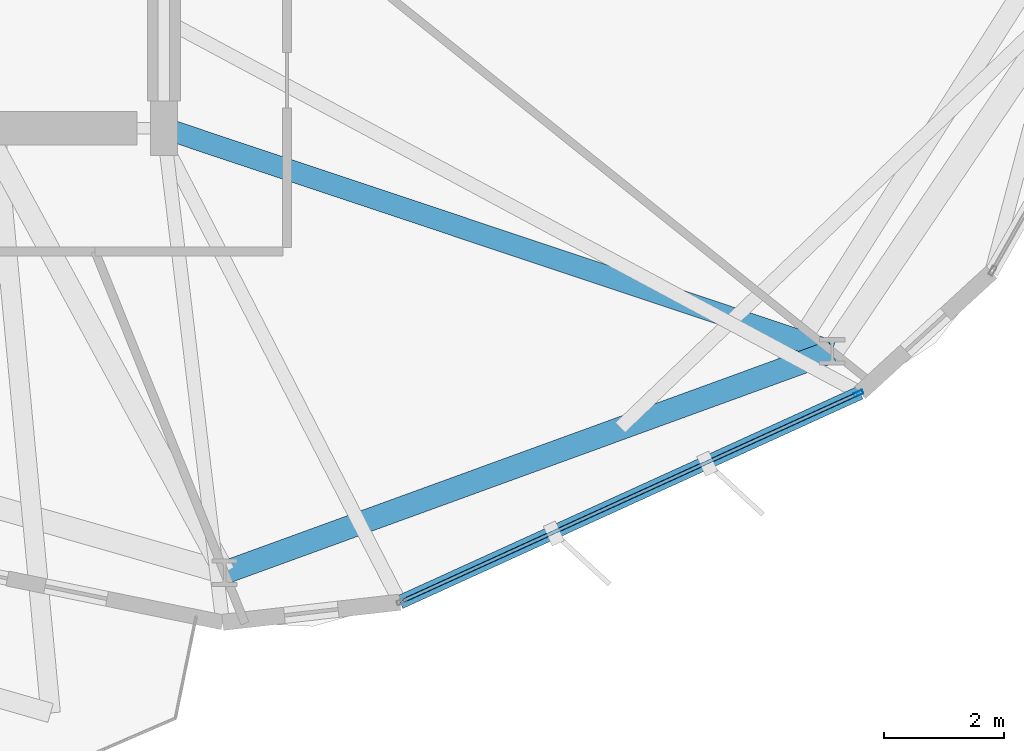
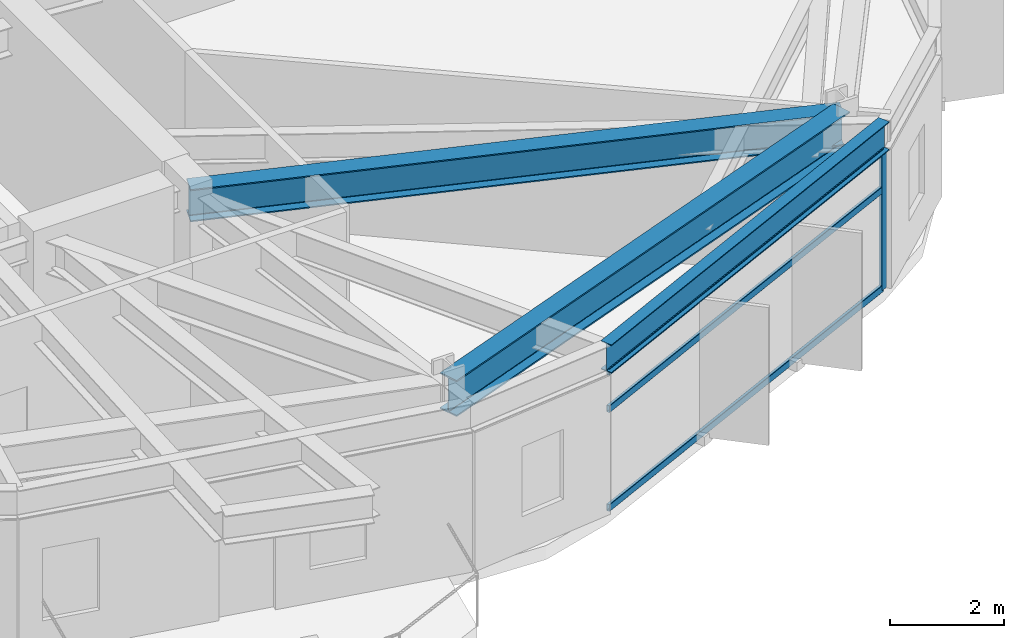
# One storey, part 6 of 23: 4 members, 3 beams, 1 element without a shape of its own.
"""IFC4 building model written with IfcOpenShell, lengths in metres."""

from ifc_helpers import new_model, si_unit, direction, frame, origin, origin_2d, place, context, subcontext, project, spatial, hollow_rectangle, i_section, extrude, material, layer, layer_set, material_profile, profile_set, type_object, element, aggregate, save


model = new_model("IFC4")

# Units and contexts
model_context = context("Model", 3, precision=1e-05, world=origin(), true_north=direction((0.0, 1.0)))
body_context = subcontext(model_context, "Body", "Model", "MODEL_VIEW")
ifc_project = project(units=[si_unit("LENGTHUNIT", "METRE"), si_unit("AREAUNIT", "SQUARE_METRE"), si_unit("VOLUMEUNIT", "CUBIC_METRE"), si_unit("PLANEANGLEUNIT", "RADIAN"), si_unit("MASSUNIT", "GRAM", prefix="KILO")], contexts=[model_context])

# Site, building, storey
site_placement = place(None, origin())
site = spatial("IfcSite", under=ifc_project, at=site_placement, CompositionType="ELEMENT")
building_placement = place(site_placement, origin())
building = spatial("IfcBuilding", under=site, at=building_placement, Name="Soratama Intermodal Tower", CompositionType="ELEMENT")
storey_placement = place(building_placement, frame((0.0, 0.0, 122.5)))
storey = spatial("IfcBuildingStorey", under=building, at=storey_placement, Name="L29", CompositionType="ELEMENT", Elevation=122.5)

# Beams
ifc_material_1 = material(Name="Structural steel ASTM A992 Grade 50", Category="steel")
ifc_material_profile_1 = material_profile(ifc_material_1, i_section(OverallWidth=0.35498046875, OverallDepth=0.695068359375, WebThickness=0.015380859375, FlangeThickness=0.02490234375, FilletRadius=0.01611328125, at=origin_2d()), Name="W27X146")
ifc_profile_set_1 = profile_set([ifc_material_profile_1], Name="Structural steel ASTM A992 Grade 50")
beam_type_1 = type_object("IfcBeamType", Name="BM-RING-W27X146", PredefinedType="BEAM", material=ifc_profile_set_1)
beam_1_placement = place(storey_placement, frame((44.60009765625, 15.0, 3.25244140625), z_axis=(0.948503923169, -0.316765382787, 0.0), x_axis=(0.316765382787, 0.948503923169, 0.0)))
element("IfcBeam", 1, at=beam_1_placement, inside=storey, type_object=beam_type_1, Name="BM-L29-RAD-09", PredefinedType="BEAM", context=body_context, shape_type="SweptSolid", body=[
    extrude(i_section(OverallWidth=0.35498046875, OverallDepth=0.695068359375, WebThickness=0.015380859375, FlangeThickness=0.02490234375, FilletRadius=0.01611328125, at=origin_2d()), origin(), (0.0, 0.0, 1.0), 11.715087890625),
])
ifc_material_2 = material(Name="Structural steel ASTM A992 Grade 50", Category="steel")
ifc_material_profile_2 = material_profile(ifc_material_2, i_section(OverallWidth=0.382080078125, OverallDepth=0.779052734375, WebThickness=0.01806640625, FlangeThickness=0.030029296875, FilletRadius=0.01806640625, at=origin_2d()), Name="W30X191")
ifc_profile_set_2 = profile_set([ifc_material_profile_2], Name="Structural steel ASTM A992 Grade 50")
beam_type_2 = type_object("IfcBeamType", Name="BM-RING-W30X191", PredefinedType="BEAM", material=ifc_profile_set_2)
beam_2_placement = place(storey_placement, frame((45.60693359375, 7.611083984375, 3.21044921875), z_axis=(0.939690636038, 0.342025596326, 0.0), x_axis=(-0.342025596326, 0.939690636038, 0.0)))
element("IfcBeam", 2, at=beam_2_placement, inside=storey, type_object=beam_type_2, Name="BM-L29-RING-08", PredefinedType="BEAM", context=body_context, shape_type="SweptSolid", body=[
    extrude(i_section(OverallWidth=0.382080078125, OverallDepth=0.779052734375, WebThickness=0.01806640625, FlangeThickness=0.030029296875, FilletRadius=0.01806640625, at=origin_2d()), origin(), (0.0, 0.0, 1.0), 10.75341796875),
])
ifc_material_3 = material(Name="Structural steel ASTM A992 Grade 50", Category="steel")
ifc_material_profile_3 = material_profile(ifc_material_3, i_section(OverallWidth=0.22900390625, OverallDepth=0.612060546875, WebThickness=0.011962890625, FlangeThickness=0.01953125, FilletRadius=0.012939453125, at=origin_2d()), Name="W24X84")
ifc_profile_set_3 = profile_set([ifc_material_profile_3], Name="Structural steel ASTM A992 Grade 50")
beam_type_3 = type_object("IfcBeamType", Name="BM-SPN-W24X84", PredefinedType="SPANDREL", material=ifc_profile_set_3)
beam_3_placement = place(storey_placement, frame((48.52392578125, 7.117919921875, 3.2939453125), z_axis=(0.910105693231, 0.414376190373, 0.0), x_axis=(-0.414376190373, 0.910105693231, 0.0)))
element("IfcBeam", 3, at=beam_3_placement, inside=storey, type_object=beam_type_3, Name="BS-L29-F08", PredefinedType="SPANDREL", context=body_context, shape_type="SweptSolid", body=[
    extrude(i_section(OverallWidth=0.22900390625, OverallDepth=0.612060546875, WebThickness=0.011962890625, FlangeThickness=0.01953125, FilletRadius=0.012939453125, at=origin_2d()), origin(), (0.0, 0.0, 1.0), 8.40576171875),
])

# Curtain wall, members
ifc_material_4 = material(Name="Double-glazed aluminium curtain wall", Category="aluminium")
ifc_layer = layer(ifc_material_4, 0.159912109375)
ifc_layer_set = layer_set([ifc_layer], Name="Double-glazed aluminium curtain wall")
curtain_wall_type = type_object("IfcCurtainWallType", Name="CW-SYS-3", PredefinedType="NOTDEFINED", material=ifc_layer_set)
curtain_wall_placement = place(storey_placement, origin())
curtain_wall = element("IfcCurtainWall", 4, at=curtain_wall_placement, inside=storey, type_object=curtain_wall_type, Name="L29 Faceted Curtain Wall F08", PredefinedType="NOTDEFINED")
ifc_material_5 = material(Name="Anodised aluminium AA 6063-T6", Category="aluminium")
ifc_material_profile_4 = material_profile(ifc_material_5, hollow_rectangle(XDim=0.070068359375, YDim=0.159912109375, WallThickness=0.0048828125, InnerFilletRadius=0.0048828125, OuterFilletRadius=0.010009765625, at=origin_2d()), Name="CWM160X70X5")
ifc_profile_set_4 = profile_set([ifc_material_profile_4], Name="Anodised aluminium AA 6063-T6")
member_type_1 = type_object("IfcMemberType", Name="MT-CWM-3", PredefinedType="MULLION", material=ifc_profile_set_4)
member_1_placement = place(storey_placement, frame((56.146240234375, 10.5888671875, 0.0), z_axis=(0.0, 0.0, 1.0), x_axis=(-0.414381018039, 0.910103495153, 0.0)))
member_1 = element("IfcMember", 5, at=member_1_placement, type_object=member_type_1, Name="CW-3 mullion 2", PredefinedType="MULLION", context=body_context, shape_type="SweptSolid", body=[
    extrude(hollow_rectangle(XDim=0.070068359375, YDim=0.159912109375, WallThickness=0.0048828125, InnerFilletRadius=0.0048828125, OuterFilletRadius=0.010009765625, at=origin_2d()), origin(), (0.0, 0.0, 1.0), 2.97900390625),
])
ifc_material_6 = material(Name="Anodised aluminium AA 6063-T6", Category="aluminium")
ifc_material_profile_5 = material_profile(ifc_material_6, hollow_rectangle(XDim=0.06494140625, YDim=0.14990234375, WallThickness=0.0048828125, InnerFilletRadius=0.0048828125, OuterFilletRadius=0.010009765625, at=origin_2d()), Name="CWT150X65X5")
ifc_profile_set_5 = profile_set([ifc_material_profile_5], Name="Anodised aluminium AA 6063-T6")
member_type_2 = type_object("IfcMemberType", Name="TT-CWT-1", PredefinedType="USERDEFINED", material=ifc_profile_set_5)
member_2_placement = place(storey_placement, frame((48.57861328125, 7.14306640625, 0.030029296875), z_axis=(0.910095830237, 0.414397852052, 0.0), x_axis=(-0.414397852052, 0.910095830237, 0.0)))
member_2 = element("IfcMember", 6, at=member_2_placement, type_object=member_type_2, Name="CW-3 transom 1.1", ObjectType="TRANSOM", PredefinedType="USERDEFINED", context=body_context, shape_type="SweptSolid", body=[
    extrude(hollow_rectangle(XDim=0.06494140625, YDim=0.14990234375, WallThickness=0.0048828125, InnerFilletRadius=0.0048828125, OuterFilletRadius=0.010009765625, at=origin_2d()), origin(), (0.0, 0.0, 1.0), 8.28515625),
])
member_3_placement = place(storey_placement, frame((48.57861328125, 7.14306640625, 2.14990234375), z_axis=(0.910095830237, 0.414397852052, 0.0), x_axis=(-0.414397852052, 0.910095830237, 0.0)))
member_3 = element("IfcMember", 7, at=member_3_placement, type_object=member_type_2, Name="CW-3 transom 1.2", ObjectType="TRANSOM", PredefinedType="USERDEFINED", context=body_context, shape_type="SweptSolid", body=[
    extrude(hollow_rectangle(XDim=0.06494140625, YDim=0.14990234375, WallThickness=0.0048828125, InnerFilletRadius=0.0048828125, OuterFilletRadius=0.010009765625, at=origin_2d()), origin(), (0.0, 0.0, 1.0), 8.28515625),
])
member_4_placement = place(storey_placement, frame((48.57861328125, 7.14306640625, 2.948974609375), z_axis=(0.910095830237, 0.414397852052, 0.0), x_axis=(-0.414397852052, 0.910095830237, 0.0)))
member_4 = element("IfcMember", 8, at=member_4_placement, type_object=member_type_2, Name="CW-3 transom 1.3", ObjectType="TRANSOM", PredefinedType="USERDEFINED", context=body_context, shape_type="SweptSolid", body=[
    extrude(hollow_rectangle(XDim=0.06494140625, YDim=0.14990234375, WallThickness=0.0048828125, InnerFilletRadius=0.0048828125, OuterFilletRadius=0.010009765625, at=origin_2d()), origin(), (0.0, 0.0, 1.0), 8.28515625),
])
aggregate(curtain_wall, [member_1, member_2, member_3, member_4])

save(model, "model.ifc")
